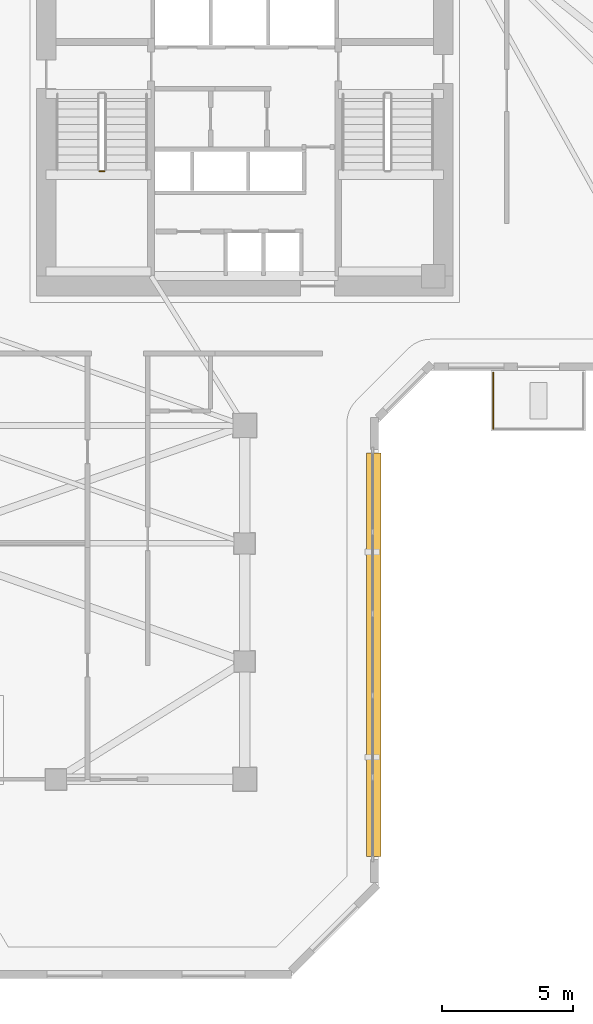
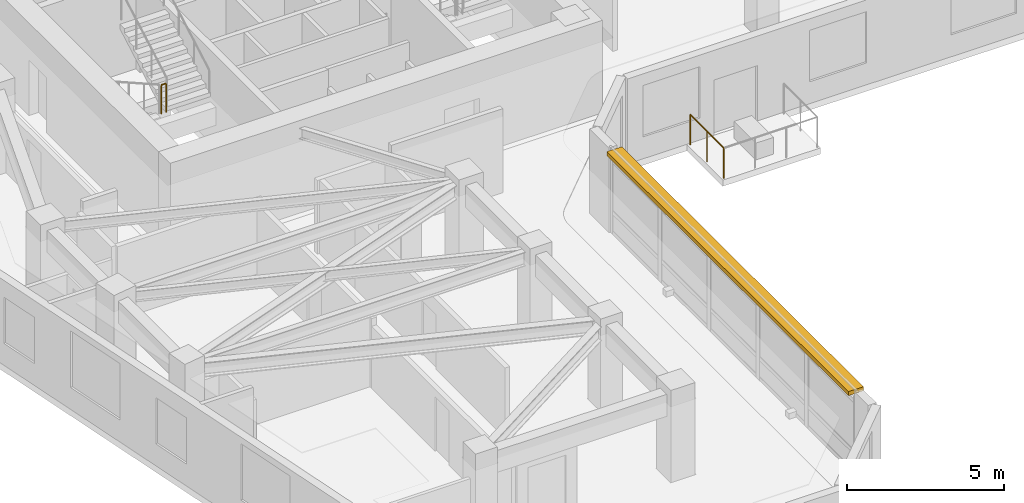
# One storey, part 9 of 12: 2 railings, 1 shading device.
"""IFC4 building model written with IfcOpenShell, lengths in metres."""

from ifc_helpers import new_model, si_unit, direction, frame, frame_2d, origin, origin_2d, place, context, subcontext, project, spatial, rectangle, circle, extrude, material, type_object, element, save


model = new_model("IFC4")

# Units and contexts
model_context = context("Model", 3, precision=1e-05, world=origin(), true_north=direction((0.0, 1.0)))
body_context = subcontext(model_context, "Body", "Model", "MODEL_VIEW")
ifc_project = project(units=[si_unit("LENGTHUNIT", "METRE"), si_unit("AREAUNIT", "SQUARE_METRE"), si_unit("VOLUMEUNIT", "CUBIC_METRE"), si_unit("PLANEANGLEUNIT", "RADIAN"), si_unit("MASSUNIT", "GRAM", prefix="KILO")], contexts=[model_context])

# Site, building, storey
site_placement = place(None, origin())
site = spatial("IfcSite", under=ifc_project, at=site_placement, CompositionType="ELEMENT")
building_placement = place(site_placement, origin())
building = spatial("IfcBuilding", under=site, at=building_placement, Name="Calvemar Wedge Station Tower", CompositionType="ELEMENT")
storey_placement = place(building_placement, frame((0.0, 0.0, 135.800048828125)))
storey = spatial("IfcBuildingStorey", under=building, at=storey_placement, Name="L33", CompositionType="ELEMENT", Elevation=135.800048828125)

# Railings
ifc_material_1 = material(Name="Stainless steel AISI 316L", Category="steel")
railing_type_1 = type_object("IfcRailingType", Name="GRD-TERR-1200", PredefinedType="GUARDRAIL", material=ifc_material_1)
railing_1_placement = place(storey_placement, frame((33.280029296875, 28.3720703125, 0.0)))
element("IfcRailing", 1, at=railing_1_placement, inside=storey, type_object=railing_type_1, Name="Storey L33 Spiral Terrace Guard 4", PredefinedType="GUARDRAIL", context=body_context, shape_type="SweptSolid", body=[
    extrude(circle(Radius=0.02392578125, at=origin_2d()), frame((0.0, 0.0, 1.17578125), z_axis=(0.0, 1.0, 0.0), x_axis=(-1.0, 0.0, 0.0)), (0.0, 0.0, 1.0), 2.139892578125),
    extrude(circle(Radius=0.02099609375, at=origin_2d()), origin(), (0.0, 0.0, 1.0), 1.15185546875),
    extrude(circle(Radius=0.02099609375, at=origin_2d()), frame((0.0, 1.06982421875, 0.0)), (0.0, 0.0, 1.0), 1.15185546875),
    extrude(circle(Radius=0.02099609375, at=origin_2d()), frame((0.0, 2.139892578125, 0.0)), (0.0, 0.0, 1.0), 1.15185546875),
])
ifc_material_2 = material(Name="Painted steel guardrail ASTM A500 Grade C", Category="steel")
railing_type_2 = type_object("IfcRailingType", Name="RL-STAIR-GUARD-1150", PredefinedType="GUARDRAIL", material=ifc_material_2)
railing_2_placement = place(storey_placement, frame((18.260009765625, 38.199951171875, 1.800048828125)))
element("IfcRailing", 2, at=railing_2_placement, inside=storey, type_object=railing_type_2, Name="L33 ST-C1 stair guard 2", PredefinedType="GUARDRAIL", context=body_context, shape_type="SweptSolid", body=[
    extrude(circle(Radius=0.02392578125, at=origin_2d()), frame((0.0, 0.0, 1.1259765625), z_axis=(1.0, 0.0, 0.0), x_axis=(0.0, 1.0, 0.0)), (0.0, 0.0, 1.0), 0.179931640625),
    extrude(circle(Radius=0.02099609375, at=origin_2d()), origin(), (0.0, 0.0, 1.0), 1.101806640625),
    extrude(circle(Radius=0.02099609375, at=origin_2d()), frame((0.179931640625, 0.0, 0.0)), (0.0, 0.0, 1.0), 1.101806640625),
])

# Shading device
ifc_material_3 = material(Name="Precast concrete C45", Category="concrete")
shading_device_type = type_object("IfcShadingDeviceType", Name="SHD-EYEBROW-1", PredefinedType="SHUTTER", material=ifc_material_3)
shading_device_placement = place(storey_placement, frame((28.72607421875, 12.06201171875, 3.119873046875), z_axis=(0.0, 0.0, 1.0), x_axis=(0.0, 1.0, 0.0)))
element("IfcShadingDevice", 3, at=shading_device_placement, inside=storey, type_object=shading_device_type, Name="Storey L33 Bronze GFRC Solar Eyebrow 4", PredefinedType="SHUTTER", context=body_context, shape_type="SweptSolid", body=[
    extrude(rectangle(XDim=15.39208984375, YDim=0.550048828125, at=frame_2d((7.696044921875, 0.0))), origin(), (0.0, 0.0, 1.0), 0.16015625),
])

save(model, "model.ifc")
